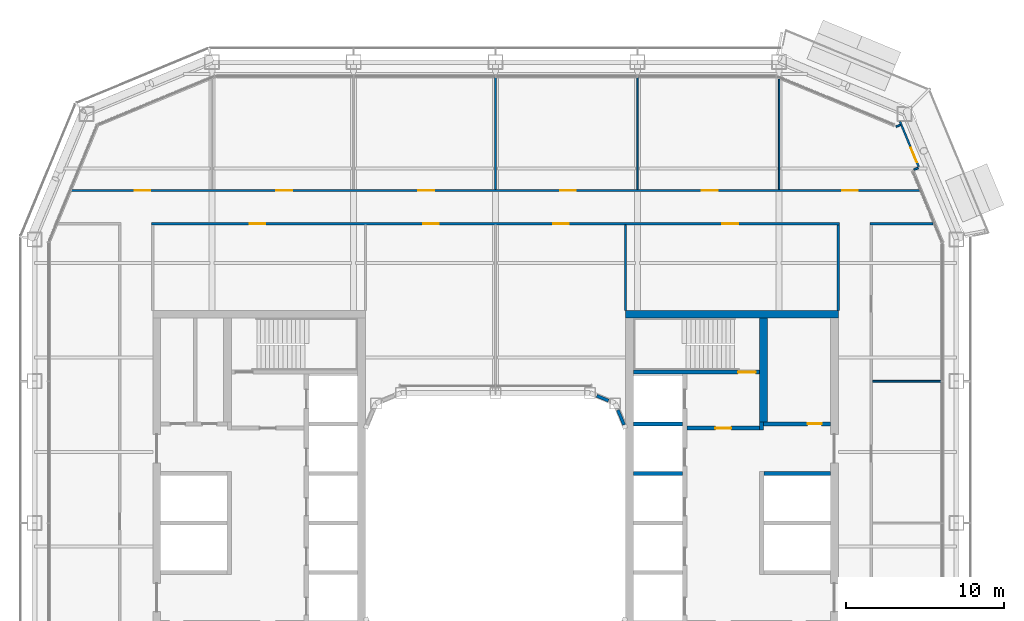
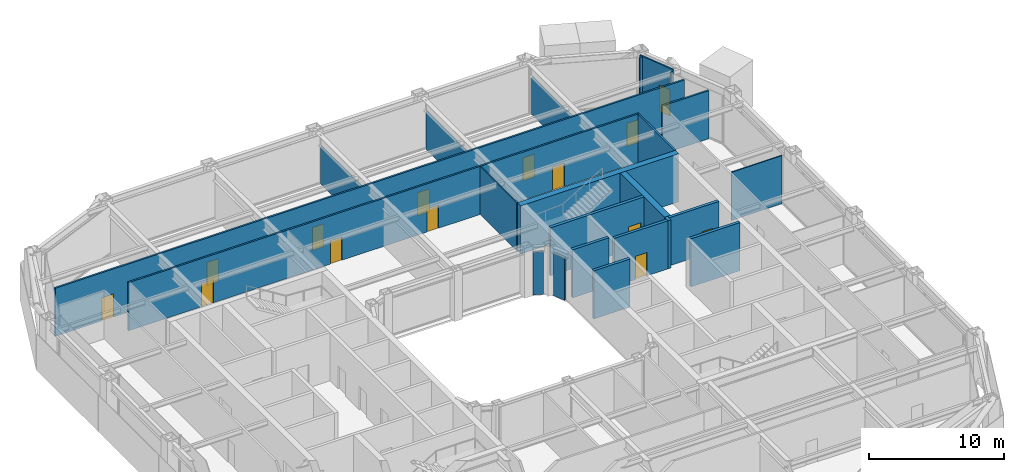
# One storey, part 14 of 23: 23 walls, 14 doors, 14 openings.
"""IFC4 building model written with IfcOpenShell, lengths in metres."""

import ifcopenshell
import ifcopenshell.guid

model = None  # the IFC model being written
_history = None  # IfcOwnerHistory: only IFC2X3 demands one
_inside = {}  # id of a spatial element -> (the spatial element, [elements in it])
_under = {}  # id of a project, library or spatial element -> (it, [spatial elements below it])
_declared = {}  # id of a project -> (the project, [libraries it declares])
_typed = {}  # id of a type object -> (the type object, [elements of that type])
_made_of = {}  # id of a material, layer set ... -> (it, [elements and type objects made of it])


def new_model(schema):
    """Start an empty IFC model of exactly this schema.

    Asked for "IFC4X3", IfcOpenShell would pick the latest addendum, in which some entities
    have other attributes; the version numbers below select the first issue.
    IFC2X3 requires an IfcOwnerHistory on every rooted entity: one is made here for all.
    """
    global model, _history
    if schema == "IFC4X3":
        model = ifcopenshell.file(schema_version=(4, 3, 0, 0))
    else:
        model = ifcopenshell.file(schema=schema)
    _inside.clear()
    _under.clear()
    _declared.clear()
    _typed.clear()
    _made_of.clear()
    _history = None
    if model.schema == "IFC2X3":
        org = make("IfcOrganization", Name="unknown")
        user = make(
            "IfcPersonAndOrganization",
            ThePerson=make("IfcPerson", FamilyName="unknown"),
            TheOrganization=org,
        )
        app = make(
            "IfcApplication",
            ApplicationDeveloper=org,
            Version="unknown",
            ApplicationFullName="unknown",
            ApplicationIdentifier="unknown",
        )
        _history = make(
            "IfcOwnerHistory",
            OwningUser=user,
            OwningApplication=app,
            ChangeAction="ADDED",
            CreationDate=0,
        )
    return model


def make(cls, **values):
    """One entity of the class cls with the attributes given. An attribute that is None is left unset."""
    return model.create_entity(
        cls, **{name: value for name, value in values.items() if value is not None}
    )


def rooted(cls, **values):
    """An entity with a GlobalId (a new one), such as an element, a storey or a relation."""
    return make(cls, GlobalId=ifcopenshell.guid.new(), OwnerHistory=_history, **values)


def si_unit(unit_type, name, prefix=None):
    """IfcSIUnit, for example si_unit("LENGTHUNIT", "METRE", prefix="MILLI")."""
    return make("IfcSIUnit", UnitType=unit_type, Prefix=prefix, Name=name)


def assignment(units):
    """IfcUnitAssignment: the units of a project."""
    return None if units is None else make("IfcUnitAssignment", Units=units)


def point(xyz):
    """IfcCartesianPoint."""
    return None if xyz is None else make("IfcCartesianPoint", Coordinates=xyz)


def direction(xyz):
    """IfcDirection."""
    return None if xyz is None else make("IfcDirection", DirectionRatios=xyz)


def frame(location, z_axis=None, x_axis=None):
    """IfcAxis2Placement3D, a coordinate frame: its origin and axes. An axis left out is left unset."""
    return make(
        "IfcAxis2Placement3D",
        Location=point(location),
        Axis=direction(z_axis),
        RefDirection=direction(x_axis),
    )


def frame_2d(location, x_axis=None):
    """IfcAxis2Placement2D, a coordinate frame in the plane: its origin and x axis."""
    return make(
        "IfcAxis2Placement2D", Location=point(location), RefDirection=direction(x_axis)
    )


def origin():
    """The frame at (0, 0, 0) with its axes left unset."""
    return frame((0.0, 0.0, 0.0))


def place(relative_to, where):
    """IfcLocalPlacement: puts the frame where relative to a parent placement (None: the world)."""
    return make(
        "IfcLocalPlacement", PlacementRelTo=relative_to, RelativePlacement=where
    )


def context(
    kind, dimensions, precision=None, world=None, true_north=None, identifier=None
):
    """IfcGeometricRepresentationContext, for example the 3D "Model" context."""
    return make(
        "IfcGeometricRepresentationContext",
        ContextIdentifier=identifier,
        ContextType=kind,
        CoordinateSpaceDimension=dimensions,
        Precision=precision,
        WorldCoordinateSystem=world,
        TrueNorth=true_north,
    )


def subcontext(parent, identifier, kind, view, scale=None):
    """IfcGeometricRepresentationSubContext, for example "Body" below "Model"."""
    return make(
        "IfcGeometricRepresentationSubContext",
        ContextIdentifier=identifier,
        ContextType=kind,
        ParentContext=parent,
        TargetScale=scale,
        TargetView=view,
    )


def project(units=None, contexts=None):
    """IfcProject with its units and contexts."""
    return rooted(
        "IfcProject",
        Name="project",
        RepresentationContexts=contexts,
        UnitsInContext=assignment(units),
    )


def spatial(cls, under=None, at=None, **own):
    """A site, building, storey or space (cls), placed at a placement, below another one or the project."""
    s = rooted(cls, ObjectPlacement=at, **own)
    if under is not None:
        _under.setdefault(under.id(), (under, []))[1].append(s)
    return s


def profile(cls, at=None, kind="AREA", **sizes):
    """A parametric profile (cls). Its sizes go by their IFC names, for example OverallWidth=200.0."""
    return make(cls, ProfileType=kind, Position=at, **sizes)


def rectangle(**sizes):
    """IfcRectangleProfileDef."""
    return profile("IfcRectangleProfileDef", **sizes)


def extrude(swept, where, along, depth):
    """IfcExtrudedAreaSolid: the profile swept, set in the frame where, extruded along a direction by depth."""
    return make(
        "IfcExtrudedAreaSolid",
        SweptArea=swept,
        Position=where,
        ExtrudedDirection=direction(along),
        Depth=depth,
    )


def shape(context_of_items, identifier, shape_type, items):
    """IfcShapeRepresentation: the items that make up one representation, for example the "Body"."""
    return make(
        "IfcShapeRepresentation",
        ContextOfItems=context_of_items,
        RepresentationIdentifier=identifier,
        RepresentationType=shape_type,
        Items=items,
    )


def material(Name=None, Category=None):
    """IfcMaterial."""
    return make("IfcMaterial", Name=Name, Category=Category)


def layer(
    of_material, thickness, ventilated=None, Name=None, Category=None, Priority=None
):
    """IfcMaterialLayer: one layer of a wall or slab, of a material (None: an air gap)."""
    return make(
        "IfcMaterialLayer",
        Material=of_material,
        LayerThickness=thickness,
        IsVentilated=ventilated,
        Name=Name,
        Category=Category,
        Priority=Priority,
    )


def layer_set(layers, Name=None):
    """IfcMaterialLayerSet."""
    return make("IfcMaterialLayerSet", MaterialLayers=layers, LayerSetName=Name)


def made_of(thing, what):
    """Note that an element or type object is made of a material, layer set ...; save() writes the relation."""
    if what is not None:
        _made_of.setdefault(what.id(), (what, []))[1].append(thing)
    return thing


def type_object(cls, material=None, **own):
    """A type object (cls), such as IfcWallType, which elements share."""
    return made_of(rooted(cls, **own), material)


def element(
    cls,
    number,
    at=None,
    inside=None,
    cuts=None,
    type_object=None,
    material=None,
    context=None,
    identifier="Body",
    shape_type=None,
    held_by="IfcProductDefinitionShape",
    body=None,
    shapes=None,
    **own,
):
    """One element of the class cls, such as IfcWall. Its Tag is "e" and its number.

    at: its placement. inside: the storey or other place that contains it. cuts: it is an
    opening in that element (IfcRelVoidsElement). A single representation is given by context,
    identifier, shape_type and body (its items); several are given by shapes. held_by: the class
    of the entity that holds the representations. save() writes the other relations.
    """
    e = rooted(cls, Tag="e%d" % number, ObjectPlacement=at, **own)
    if body is not None:
        shapes = [shape(context, identifier, shape_type, body)]
    if shapes is not None:
        e.Representation = make(held_by, Representations=shapes)
    if inside is not None:
        _inside.setdefault(inside.id(), (inside, []))[1].append(e)
    if cuts is not None:
        rooted(
            "IfcRelVoidsElement", RelatingBuildingElement=cuts, RelatedOpeningElement=e
        )
    if type_object is not None:
        _typed.setdefault(type_object.id(), (type_object, []))[1].append(e)
    return made_of(e, material)


def fill(opening, filler):
    """IfcRelFillsElement: the door or window that sits in an opening."""
    return rooted(
        "IfcRelFillsElement",
        RelatingOpeningElement=opening,
        RelatedBuildingElement=filler,
    )


def aggregate(whole, parts):
    """IfcRelAggregates: a whole, such as a stair, and the parts it consists of."""
    return rooted("IfcRelAggregates", RelatingObject=whole, RelatedObjects=parts)


def save(model, path):
    """Write the relations noted so far, then the file.

    IfcRelAggregates (storeys below a building ...), IfcRelContainedInSpatialStructure (elements
    in a storey), IfcRelDefinesByType, IfcRelAssociatesMaterial and IfcRelDeclares: one each for
    every whole, place, type object, material and project.
    """
    for whole, parts in _under.values():
        aggregate(whole, parts)
    for where, things in _inside.values():
        rooted(
            "IfcRelContainedInSpatialStructure",
            RelatedElements=things,
            RelatingStructure=where,
        )
    for kind, things in _typed.values():
        rooted("IfcRelDefinesByType", RelatedObjects=things, RelatingType=kind)
    for what, things in _made_of.values():
        rooted("IfcRelAssociatesMaterial", RelatedObjects=things, RelatingMaterial=what)
    for by, libraries in _declared.values():
        rooted("IfcRelDeclares", RelatingContext=by, RelatedDefinitions=libraries)
    model.write(path)


model = new_model("IFC4")

# Units and contexts
model_context = context("Model", 3, precision=1e-05, world=origin(), true_north=direction((0.0, 1.0)))
body_context = subcontext(model_context, "Body", "Model", "MODEL_VIEW")
ifc_project = project(units=[si_unit("LENGTHUNIT", "METRE"), si_unit("AREAUNIT", "SQUARE_METRE"), si_unit("VOLUMEUNIT", "CUBIC_METRE"), si_unit("PLANEANGLEUNIT", "RADIAN"), si_unit("MASSUNIT", "GRAM", prefix="KILO")], contexts=[model_context])

# Site, building, storey
site_placement = place(None, origin())
site = spatial("IfcSite", under=ifc_project, at=site_placement, CompositionType="ELEMENT")
building_placement = place(site_placement, origin())
building = spatial("IfcBuilding", under=site, at=building_placement, Name="Siwar Civic Tower", CompositionType="ELEMENT")
storey_placement = place(building_placement, frame((0.0, 0.0, 131.699951171875)))
storey = spatial("IfcBuildingStorey", under=building, at=storey_placement, Name="L28", CompositionType="ELEMENT", Elevation=131.699951171875)

# Wall, opening, door
ifc_material_1 = material(Name="Concrete C60/75", Category="concrete")
ifc_layer_1 = layer(ifc_material_1, 0.25)
ifc_layer_set_1 = layer_set([ifc_layer_1], Name="Concrete C60/75")
wall_type_1 = type_object("IfcWallType", Name="CORE-WALL-RC250", PredefinedType="SHEAR", material=ifc_layer_set_1)
wall_1_placement = place(storey_placement, frame((12.14990234375, 6.02490234375, 0.0), z_axis=(0.0, 0.0, 1.0), x_axis=(1.0, 0.0, 0.0)))
wall_1 = element("IfcWall", 1, at=wall_1_placement, inside=storey, type_object=wall_type_1, Name="Core wall E", PredefinedType="SHEAR", context=body_context, shape_type="SweptSolid", body=[
    extrude(rectangle(XDim=4.60009765625, YDim=0.25, at=frame_2d((2.300048828125, 0.0))), origin(), (0.0, 0.0, 1.0), 4.35009765625),
])
opening_1_placement = place(wall_1_placement, frame((1.800048828125, 0.0, 0.0)))
opening_1 = element("IfcOpeningElement", 2, at=opening_1_placement, cuts=wall_1, Name="Opening L28-CE01", PredefinedType="OPENING", context=body_context, shape_type="SweptSolid", body=[
    extrude(rectangle(XDim=1.0, YDim=2.10009765625, at=frame_2d((0.5, 1.050048828125))), frame((0.0, 0.135009765625, 0.0), z_axis=(0.0, -1.0, 0.0), x_axis=(1.0, 0.0, 0.0)), (0.0, 0.0, 1.0), 0.27001953125),
])
ifc_material_2 = material(Name="Steel door leaf", Category="steel")
door_type_1 = type_object("IfcDoorType", Name="CORE-DOOR-FD30S", OperationType="SINGLE_SWING_LEFT", PredefinedType="DOOR", material=ifc_material_2)
door_1_placement = place(opening_1_placement, origin())
door_1 = element("IfcDoor", 3, at=door_1_placement, inside=storey, type_object=door_type_1, Name="Firefighting lobby door L28-CE01", OperationType="SINGLE_SWING_RIGHT", OverallHeight=2.10009765625, OverallWidth=1.0, PredefinedType="DOOR", context=body_context, shape_type="SweptSolid", body=[
    extrude(rectangle(XDim=1.0, YDim=2.10009765625, at=frame_2d((0.5, 1.050048828125))), frame((0.0, 0.02490234375, 0.0), z_axis=(0.0, -1.0, 0.0), x_axis=(1.0, 0.0, 0.0)), (0.0, 0.0, 1.0), 0.050048828125),
])
fill(opening_1, door_1)

# Wall
wall_2_placement = place(storey_placement, frame((16.875, 5.89990234375, 0.0), z_axis=(0.0, 0.0, 1.0), x_axis=(0.0, 1.0, 0.0)))
element("IfcWall", 4, at=wall_2_placement, inside=storey, type_object=wall_type_1, Name="Core wall E", PredefinedType="SHEAR", context=body_context, shape_type="SweptSolid", body=[
    extrude(rectangle(XDim=0.525146484375, YDim=0.25, at=frame_2d((0.2626953125, 0.0))), origin(), (0.0, 0.0, 1.0), 4.35009765625),
])

# Wall, opening, door
wall_3_placement = place(storey_placement, frame((17.0, 6.300048828125, 0.0), z_axis=(0.0, 0.0, 1.0), x_axis=(1.0, 0.0, 0.0)))
wall_3 = element("IfcWall", 5, at=wall_3_placement, inside=storey, type_object=wall_type_1, Name="Core wall E", PredefinedType="SHEAR", context=body_context, shape_type="SweptSolid", body=[
    extrude(rectangle(XDim=4.25, YDim=0.25, at=frame_2d((2.125, 0.0))), origin(), (0.0, 0.0, 1.0), 4.35009765625),
])
opening_2_placement = place(wall_3_placement, frame((2.800048828125, 0.0, 0.0)))
opening_2 = element("IfcOpeningElement", 6, at=opening_2_placement, cuts=wall_3, Name="Opening L28-CE13", PredefinedType="OPENING", context=body_context, shape_type="SweptSolid", body=[
    extrude(rectangle(XDim=0.89990234375, YDim=2.10009765625, at=frame_2d((0.449951171875, 1.050048828125))), frame((0.0, 0.135009765625, 0.0), z_axis=(0.0, -1.0, 0.0), x_axis=(1.0, 0.0, 0.0)), (0.0, 0.0, 1.0), 0.27001953125),
])
ifc_material_3 = material(Name="Steel door leaf", Category="steel")
door_type_2 = type_object("IfcDoorType", Name="CORE-DOOR-ROOM", OperationType="SINGLE_SWING_LEFT", PredefinedType="DOOR", material=ifc_material_3)
door_2_placement = place(opening_2_placement, origin())
door_2 = element("IfcDoor", 7, at=door_2_placement, inside=storey, type_object=door_type_2, Name="Core room door L28-CE13", OperationType="SINGLE_SWING_LEFT", OverallHeight=2.10009765625, OverallWidth=0.89990234375, PredefinedType="DOOR", context=body_context, shape_type="SweptSolid", body=[
    extrude(rectangle(XDim=0.89990234375, YDim=2.10009765625, at=frame_2d((0.449951171875, 1.050048828125))), frame((0.0, 0.02490234375, 0.0), z_axis=(0.0, -1.0, 0.0), x_axis=(1.0, 0.0, 0.0)), (0.0, 0.0, 1.0), 0.050048828125),
])
fill(opening_2, door_2)

# Walls
wall_4_placement = place(storey_placement, frame((17.050048828125, 3.14990234375, 0.0), z_axis=(0.0, 0.0, 1.0), x_axis=(1.0, 0.0, 0.0)))
element("IfcWall", 8, at=wall_4_placement, inside=storey, type_object=wall_type_1, Name="Core wall E", PredefinedType="SHEAR", context=body_context, shape_type="SweptSolid", body=[
    extrude(rectangle(XDim=4.199951171875, YDim=0.25, at=frame_2d((2.10009765625, 0.0))), origin(), (0.0, 0.0, 1.0), 4.35009765625),
])
for number, where, z_axis, x_axis, name in (
    (9, (8.75, 3.14990234375, 0.0), (0.0, 0.0, 1.0), (1.0, 0.0, 0.0), "Core wall E"),
    (10, (8.75, 6.300048828125, 0.0), (0.0, 0.0, 1.0), (1.0, 0.0, 0.0), "Core wall E"),
):
    element("IfcWall", number, at=place(storey_placement, frame(where, z_axis=z_axis, x_axis=x_axis)), inside=storey, type_object=wall_type_1, Name=name, PredefinedType="SHEAR", context=body_context, shape_type="SweptSolid", body=[
        extrude(rectangle(XDim=3.10009765625, YDim=0.25, at=frame_2d((1.550048828125, 0.0))), origin(), (0.0, 0.0, 1.0), 4.35009765625),
    ])

# Wall, opening, door
wall_5_placement = place(storey_placement, frame((8.75, 9.574951171875, 0.0), z_axis=(0.0, 0.0, 1.0), x_axis=(1.0, 0.0, 0.0)))
wall_5 = element("IfcWall", 11, at=wall_5_placement, inside=storey, type_object=wall_type_1, Name="Core wall E", PredefinedType="SHEAR", context=body_context, shape_type="SweptSolid", body=[
    extrude(rectangle(XDim=8.0, YDim=0.25, at=frame_2d((4.0, 0.0))), origin(), (0.0, 0.0, 1.0), 4.35009765625),
])
opening_3_placement = place(wall_5_placement, frame((6.64990234375, 0.0, 0.0)))
opening_3 = element("IfcOpeningElement", 12, at=opening_3_placement, cuts=wall_5, Name="Opening L28-CE03", PredefinedType="OPENING", context=body_context, shape_type="SweptSolid", body=[
    extrude(rectangle(XDim=1.10009765625, YDim=2.10009765625, at=frame_2d((0.550048828125, 1.050048828125))), frame((0.0, 0.135009765625, 0.0), z_axis=(0.0, -1.0, 0.0), x_axis=(1.0, 0.0, 0.0)), (0.0, 0.0, 1.0), 0.27001953125),
])
ifc_material_4 = material(Name="Steel door leaf", Category="steel")
door_type_3 = type_object("IfcDoorType", Name="CORE-DOOR-FD60S", OperationType="SINGLE_SWING_LEFT", PredefinedType="DOOR", material=ifc_material_4)
door_3_placement = place(opening_3_placement, origin())
door_3 = element("IfcDoor", 13, at=door_3_placement, inside=storey, type_object=door_type_3, Name="Stair door L28-CE03", OperationType="SINGLE_SWING_LEFT", OverallHeight=2.10009765625, OverallWidth=1.10009765625, PredefinedType="DOOR", context=body_context, shape_type="SweptSolid", body=[
    extrude(rectangle(XDim=1.10009765625, YDim=2.10009765625, at=frame_2d((0.550048828125, 1.050048828125))), frame((0.0, 0.02490234375, 0.0), z_axis=(0.0, -1.0, 0.0), x_axis=(1.0, 0.0, 0.0)), (0.0, 0.0, 1.0), 0.050048828125),
])
fill(opening_3, door_3)

# Walls
ifc_material_5 = material(Name="Concrete C60/75", Category="concrete")
ifc_layer_2 = layer(ifc_material_5, 0.5)
ifc_layer_set_2 = layer_set([ifc_layer_2], Name="Concrete C60/75")
wall_type_2 = type_object("IfcWallType", Name="CORE-WALL-RC500", PredefinedType="SHEAR", material=ifc_layer_set_2)
wall_6_placement = place(storey_placement, frame((17.0, 6.425048828125, 0.0), z_axis=(0.0, 0.0, 1.0), x_axis=(0.0, 1.0, 0.0)))
element("IfcWall", 14, at=wall_6_placement, inside=storey, type_object=wall_type_2, Name="Core wall E", PredefinedType="SHEAR", context=body_context, shape_type="SweptSolid", body=[
    extrude(rectangle(XDim=6.574951171875, YDim=0.5, at=frame_2d((3.28759765625, 0.0))), origin(), (0.0, 0.0, 1.0), 4.35009765625),
])
wall_7_placement = place(storey_placement, frame((8.25, 13.25, 0.0), z_axis=(0.0, 0.0, 1.0), x_axis=(1.0, 0.0, 0.0)))
element("IfcWall", 15, at=wall_7_placement, inside=storey, type_object=wall_type_2, Name="Core wall E", PredefinedType="SHEAR", context=body_context, shape_type="SweptSolid", body=[
    extrude(rectangle(XDim=13.5, YDim=0.5, at=frame_2d((6.75, 0.0))), origin(), (0.0, 0.0, 1.0), 4.35009765625),
])

# Wall, openings, doors
ifc_material_6 = material(Name="Gypsum board on steel studs", Category="steel")
ifc_layer_3 = layer(ifc_material_6, 0.14990234375)
ifc_layer_set_3 = layer_set([ifc_layer_3], Name="Gypsum board on steel studs")
wall_type_3 = type_object("IfcWallType", Name="CORRIDOR PARTITION 150 EI 30", PredefinedType="PARTITIONING", material=ifc_layer_set_3)
wall_8_placement = place(storey_placement, frame((-21.824951171875, 19.0, 0.0), z_axis=(0.0, 0.0, 1.0), x_axis=(1.0, 0.0, 0.0)))
wall_8 = element("IfcWall", 16, at=wall_8_placement, inside=storey, type_object=wall_type_3, Name="L28/wall/P11", PredefinedType="PARTITIONING", context=body_context, shape_type="SweptSolid", body=[
    extrude(rectangle(XDim=43.64990234375, YDim=0.14990234375, at=frame_2d((21.824951171875, 0.0))), origin(), (0.0, 0.0, 1.0), 4.35009765625),
])
opening_4_placement = place(wall_8_placement, frame((17.22509765625, 0.0, 0.0)))
opening_4 = element("IfcOpeningElement", 17, at=opening_4_placement, cuts=wall_8, Name="Opening D1", PredefinedType="OPENING", context=body_context, shape_type="SweptSolid", body=[
    extrude(rectangle(XDim=1.0, YDim=2.10009765625, at=frame_2d((0.5, 1.050048828125))), frame((0.0, 0.0849609375, 0.0), z_axis=(0.0, -1.0, 0.0), x_axis=(1.0, 0.0, 0.0)), (0.0, 0.0, 1.0), 0.169921875),
])
opening_5_placement = place(wall_8_placement, frame((25.47509765625, 0.0, 0.0)))
opening_5 = element("IfcOpeningElement", 18, at=opening_5_placement, cuts=wall_8, Name="Opening D1", PredefinedType="OPENING", context=body_context, shape_type="SweptSolid", body=[
    extrude(rectangle(XDim=1.0, YDim=2.10009765625, at=frame_2d((0.5, 1.050048828125))), frame((0.0, 0.0849609375, 0.0), z_axis=(0.0, -1.0, 0.0), x_axis=(1.0, 0.0, 0.0)), (0.0, 0.0, 1.0), 0.169921875),
])
opening_6_placement = place(wall_8_placement, frame((6.22509765625, 0.0, 0.0)))
opening_6 = element("IfcOpeningElement", 19, at=opening_6_placement, cuts=wall_8, Name="Opening D1", PredefinedType="OPENING", context=body_context, shape_type="SweptSolid", body=[
    extrude(rectangle(XDim=1.0, YDim=2.10009765625, at=frame_2d((0.5, 1.050048828125))), frame((0.0, 0.0849609375, 0.0), z_axis=(0.0, -1.0, 0.0), x_axis=(1.0, 0.0, 0.0)), (0.0, 0.0, 1.0), 0.169921875),
])
opening_7_placement = place(wall_8_placement, frame((36.22509765625, 0.0, 0.0)))
opening_7 = element("IfcOpeningElement", 20, at=opening_7_placement, cuts=wall_8, Name="Opening D1", PredefinedType="OPENING", context=body_context, shape_type="SweptSolid", body=[
    extrude(rectangle(XDim=1.0, YDim=2.10009765625, at=frame_2d((0.5, 1.050048828125))), frame((0.0, 0.0849609375, 0.0), z_axis=(0.0, -1.0, 0.0), x_axis=(1.0, 0.0, 0.0)), (0.0, 0.0, 1.0), 0.169921875),
])
ifc_material_7 = material(Name="Timber, painted", Category="wood")
door_type_4 = type_object("IfcDoorType", Name="DOOR 1000 X 2100 FD30", OperationType="SINGLE_SWING_LEFT", PredefinedType="DOOR", material=ifc_material_7)
door_4_placement = place(opening_4_placement, origin())
door_4 = element("IfcDoor", 21, at=door_4_placement, inside=storey, type_object=door_type_4, Name="L28-D13", OperationType="SINGLE_SWING_LEFT", OverallHeight=2.10009765625, OverallWidth=1.0, PredefinedType="DOOR", context=body_context, shape_type="SweptSolid", body=[
    extrude(rectangle(XDim=1.0, YDim=2.10009765625, at=frame_2d((0.5, 1.050048828125))), frame((0.0, 0.02490234375, 0.0), z_axis=(0.0, -1.0, 0.0), x_axis=(1.0, 0.0, 0.0)), (0.0, 0.0, 1.0), 0.050048828125),
])
fill(opening_4, door_4)
door_5_placement = place(opening_5_placement, origin())
door_5 = element("IfcDoor", 22, at=door_5_placement, inside=storey, type_object=door_type_4, Name="L28-D14", OperationType="SINGLE_SWING_RIGHT", OverallHeight=2.10009765625, OverallWidth=1.0, PredefinedType="DOOR", context=body_context, shape_type="SweptSolid", body=[
    extrude(rectangle(XDim=1.0, YDim=2.10009765625, at=frame_2d((0.5, 1.050048828125))), frame((0.0, 0.02490234375, 0.0), z_axis=(0.0, -1.0, 0.0), x_axis=(1.0, 0.0, 0.0)), (0.0, 0.0, 1.0), 0.050048828125),
])
fill(opening_5, door_5)
door_6_placement = place(opening_6_placement, origin())
door_6 = element("IfcDoor", 23, at=door_6_placement, inside=storey, type_object=door_type_4, Name="L28-D20", OperationType="SINGLE_SWING_RIGHT", OverallHeight=2.10009765625, OverallWidth=1.0, PredefinedType="DOOR", context=body_context, shape_type="SweptSolid", body=[
    extrude(rectangle(XDim=1.0, YDim=2.10009765625, at=frame_2d((0.5, 1.050048828125))), frame((0.0, 0.02490234375, 0.0), z_axis=(0.0, -1.0, 0.0), x_axis=(1.0, 0.0, 0.0)), (0.0, 0.0, 1.0), 0.050048828125),
])
fill(opening_6, door_6)
door_7_placement = place(opening_7_placement, origin())
door_7 = element("IfcDoor", 24, at=door_7_placement, inside=storey, type_object=door_type_4, Name="L28-D21", OperationType="SINGLE_SWING_LEFT", OverallHeight=2.10009765625, OverallWidth=1.0, PredefinedType="DOOR", context=body_context, shape_type="SweptSolid", body=[
    extrude(rectangle(XDim=1.0, YDim=2.10009765625, at=frame_2d((0.5, 1.050048828125))), frame((0.0, 0.02490234375, 0.0), z_axis=(0.0, -1.0, 0.0), x_axis=(1.0, 0.0, 0.0)), (0.0, 0.0, 1.0), 0.050048828125),
])
fill(opening_7, door_7)

# Wall
wall_9_placement = place(storey_placement, frame((23.77490234375, 19.0, 0.0), z_axis=(0.0, 0.0, 1.0), x_axis=(1.0, 0.0, 0.0)))
element("IfcWall", 25, at=wall_9_placement, inside=storey, type_object=wall_type_3, Name="L28/wall/P12", PredefinedType="PARTITIONING", context=body_context, shape_type="SweptSolid", body=[
    extrude(rectangle(XDim=3.989013671875, YDim=0.14990234375, at=frame_2d((1.99462890625, 0.0))), origin(), (0.0, 0.0, 1.0), 4.35009765625),
])

# Wall, openings, doors
wall_10_placement = place(storey_placement, frame((-26.89404296875, 21.10009765625, 0.0), z_axis=(0.0, 0.0, 1.0), x_axis=(1.0, 0.0, 0.0)))
wall_10 = element("IfcWall", 26, at=wall_10_placement, inside=storey, type_object=wall_type_3, Name="L28/wall/P13", PredefinedType="PARTITIONING", context=body_context, shape_type="SweptSolid", body=[
    extrude(rectangle(XDim=53.7880859375, YDim=0.14990234375, at=frame_2d((26.89404296875, 0.0))), origin(), (0.0, 0.0, 1.0), 4.35009765625),
])
opening_8_placement = place(wall_10_placement, frame((12.993896484375, 0.0, 0.0)))
opening_8 = element("IfcOpeningElement", 27, at=opening_8_placement, cuts=wall_10, Name="Opening D1", PredefinedType="OPENING", context=body_context, shape_type="SweptSolid", body=[
    extrude(rectangle(XDim=1.0, YDim=2.10009765625, at=frame_2d((0.5, 1.050048828125))), frame((0.0, 0.0849609375, 0.0), z_axis=(0.0, -1.0, 0.0), x_axis=(1.0, 0.0, 0.0)), (0.0, 0.0, 1.0), 0.169921875),
])
opening_9_placement = place(wall_10_placement, frame((21.993896484375, 0.0, 0.0)))
opening_9 = element("IfcOpeningElement", 28, at=opening_9_placement, cuts=wall_10, Name="Opening D1", PredefinedType="OPENING", context=body_context, shape_type="SweptSolid", body=[
    extrude(rectangle(XDim=1.0, YDim=2.10009765625, at=frame_2d((0.5, 1.050048828125))), frame((0.0, 0.0849609375, 0.0), z_axis=(0.0, -1.0, 0.0), x_axis=(1.0, 0.0, 0.0)), (0.0, 0.0, 1.0), 0.169921875),
])
opening_10_placement = place(wall_10_placement, frame((30.993896484375, 0.0, 0.0)))
opening_10 = element("IfcOpeningElement", 29, at=opening_10_placement, cuts=wall_10, Name="Opening D1", PredefinedType="OPENING", context=body_context, shape_type="SweptSolid", body=[
    extrude(rectangle(XDim=1.0, YDim=2.10009765625, at=frame_2d((0.5, 1.050048828125))), frame((0.0, 0.0849609375, 0.0), z_axis=(0.0, -1.0, 0.0), x_axis=(1.0, 0.0, 0.0)), (0.0, 0.0, 1.0), 0.169921875),
])
opening_11_placement = place(wall_10_placement, frame((39.993896484375, 0.0, 0.0)))
opening_11 = element("IfcOpeningElement", 30, at=opening_11_placement, cuts=wall_10, Name="Opening D1", PredefinedType="OPENING", context=body_context, shape_type="SweptSolid", body=[
    extrude(rectangle(XDim=1.0, YDim=2.10009765625, at=frame_2d((0.5, 1.050048828125))), frame((0.0, 0.0849609375, 0.0), z_axis=(0.0, -1.0, 0.0), x_axis=(1.0, 0.0, 0.0)), (0.0, 0.0, 1.0), 0.169921875),
])
opening_12_placement = place(wall_10_placement, frame((3.993896484375, 0.0, 0.0)))
opening_12 = element("IfcOpeningElement", 31, at=opening_12_placement, cuts=wall_10, Name="Opening D1", PredefinedType="OPENING", context=body_context, shape_type="SweptSolid", body=[
    extrude(rectangle(XDim=1.0, YDim=2.10009765625, at=frame_2d((0.5, 1.050048828125))), frame((0.0, 0.0849609375, 0.0), z_axis=(0.0, -1.0, 0.0), x_axis=(1.0, 0.0, 0.0)), (0.0, 0.0, 1.0), 0.169921875),
])
opening_13_placement = place(wall_10_placement, frame((48.887939453125, 0.0, 0.0)))
opening_13 = element("IfcOpeningElement", 32, at=opening_13_placement, cuts=wall_10, Name="Opening D1", PredefinedType="OPENING", context=body_context, shape_type="SweptSolid", body=[
    extrude(rectangle(XDim=1.0, YDim=2.10009765625, at=frame_2d((0.5, 1.050048828125))), frame((0.0, 0.0849609375, 0.0), z_axis=(0.0, -1.0, 0.0), x_axis=(1.0, 0.0, 0.0)), (0.0, 0.0, 1.0), 0.169921875),
])
door_8_placement = place(opening_8_placement, origin())
door_8 = element("IfcDoor", 33, at=door_8_placement, inside=storey, type_object=door_type_4, Name="L28-D01", OperationType="SINGLE_SWING_LEFT", OverallHeight=2.10009765625, OverallWidth=1.0, PredefinedType="DOOR", context=body_context, shape_type="SweptSolid", body=[
    extrude(rectangle(XDim=1.0, YDim=2.10009765625, at=frame_2d((0.5, 1.050048828125))), frame((0.0, 0.02490234375, 0.0), z_axis=(0.0, -1.0, 0.0), x_axis=(1.0, 0.0, 0.0)), (0.0, 0.0, 1.0), 0.050048828125),
])
fill(opening_8, door_8)
door_9_placement = place(opening_9_placement, origin())
door_9 = element("IfcDoor", 34, at=door_9_placement, inside=storey, type_object=door_type_4, Name="L28-D02", OperationType="SINGLE_SWING_RIGHT", OverallHeight=2.10009765625, OverallWidth=1.0, PredefinedType="DOOR", context=body_context, shape_type="SweptSolid", body=[
    extrude(rectangle(XDim=1.0, YDim=2.10009765625, at=frame_2d((0.5, 1.050048828125))), frame((0.0, 0.02490234375, 0.0), z_axis=(0.0, -1.0, 0.0), x_axis=(1.0, 0.0, 0.0)), (0.0, 0.0, 1.0), 0.050048828125),
])
fill(opening_9, door_9)
door_10_placement = place(opening_10_placement, origin())
door_10 = element("IfcDoor", 35, at=door_10_placement, inside=storey, type_object=door_type_4, Name="L28-D03", OperationType="SINGLE_SWING_LEFT", OverallHeight=2.10009765625, OverallWidth=1.0, PredefinedType="DOOR", context=body_context, shape_type="SweptSolid", body=[
    extrude(rectangle(XDim=1.0, YDim=2.10009765625, at=frame_2d((0.5, 1.050048828125))), frame((0.0, 0.02490234375, 0.0), z_axis=(0.0, -1.0, 0.0), x_axis=(1.0, 0.0, 0.0)), (0.0, 0.0, 1.0), 0.050048828125),
])
fill(opening_10, door_10)
door_11_placement = place(opening_11_placement, origin())
door_11 = element("IfcDoor", 36, at=door_11_placement, inside=storey, type_object=door_type_4, Name="L28-D04", OperationType="SINGLE_SWING_RIGHT", OverallHeight=2.10009765625, OverallWidth=1.0, PredefinedType="DOOR", context=body_context, shape_type="SweptSolid", body=[
    extrude(rectangle(XDim=1.0, YDim=2.10009765625, at=frame_2d((0.5, 1.050048828125))), frame((0.0, 0.02490234375, 0.0), z_axis=(0.0, -1.0, 0.0), x_axis=(1.0, 0.0, 0.0)), (0.0, 0.0, 1.0), 0.050048828125),
])
fill(opening_11, door_11)
door_12_placement = place(opening_12_placement, origin())
door_12 = element("IfcDoor", 37, at=door_12_placement, inside=storey, type_object=door_type_4, Name="L28-D09", OperationType="SINGLE_SWING_LEFT", OverallHeight=2.10009765625, OverallWidth=1.0, PredefinedType="DOOR", context=body_context, shape_type="SweptSolid", body=[
    extrude(rectangle(XDim=1.0, YDim=2.10009765625, at=frame_2d((0.5, 1.050048828125))), frame((0.0, 0.02490234375, 0.0), z_axis=(0.0, -1.0, 0.0), x_axis=(1.0, 0.0, 0.0)), (0.0, 0.0, 1.0), 0.050048828125),
])
fill(opening_12, door_12)
door_13_placement = place(opening_13_placement, origin())
door_13 = element("IfcDoor", 38, at=door_13_placement, inside=storey, type_object=door_type_4, Name="L28-D10", OperationType="SINGLE_SWING_RIGHT", OverallHeight=2.10009765625, OverallWidth=1.0, PredefinedType="DOOR", context=body_context, shape_type="SweptSolid", body=[
    extrude(rectangle(XDim=1.0, YDim=2.10009765625, at=frame_2d((0.5, 1.050048828125))), frame((0.0, 0.02490234375, 0.0), z_axis=(0.0, -1.0, 0.0), x_axis=(1.0, 0.0, 0.0)), (0.0, 0.0, 1.0), 0.050048828125),
])
fill(opening_13, door_13)

# Walls
wall_11_placement = place(storey_placement, frame((21.75, 13.5, 0.0), z_axis=(0.0, 0.0, 1.0), x_axis=(0.0, 1.0, 0.0)))
element("IfcWall", 39, at=wall_11_placement, inside=storey, type_object=wall_type_3, Name="L28/wall/P37", PredefinedType="PARTITIONING", context=body_context, shape_type="SweptSolid", body=[
    extrude(rectangle(XDim=5.425048828125, YDim=0.14990234375, at=frame_2d((2.71240234375, 0.0))), origin(), (0.0, 0.0, 1.0), 4.35009765625),
])
ifc_material_8 = material(Name="Aluminium clad insulated panel", Category="aluminium")
ifc_layer_4 = layer(ifc_material_8, 0.1201171875)
ifc_layer_set_4 = layer_set([ifc_layer_4], Name="Aluminium clad insulated panel")
wall_type_4 = type_object("IfcWallType", Name="ENV-WALL-BAL", PredefinedType="STANDARD", material=ifc_layer_set_4)
for number, where, z_axis, x_axis, name in (
    (40, (26.551025390625, 22.42529296875, 0.0), (0.0, 0.0, 1.0), (0.924119333865, 0.382103986862, 0.0), "Balcony door wall return NE1"),
    (41, (25.421142578125, 25.153076171875, 0.0), (0.0, 0.0, 1.0), (0.923698510492, 0.383120166156, 0.0), "Balcony door wall return NE1"),
):
    element("IfcWall", number, at=place(storey_placement, frame(where, z_axis=z_axis, x_axis=x_axis)), inside=storey, type_object=wall_type_4, Name=name, PredefinedType="STANDARD", context=body_context, shape_type="SweptSolid", body=[
        extrude(rectangle(XDim=0.2900390625, YDim=0.1201171875, at=frame_2d((0.14501953125, 0.0))), origin(), (0.0, 0.0, 1.0), 4.35009765625),
    ])

# Wall, opening, door
wall_12_placement = place(storey_placement, frame((26.8515625, 22.614501953125, 0.0), z_axis=(0.0, 0.0, 1.0), x_axis=(-0.382708655389, 0.923869084389, 0.0)))
wall_12 = element("IfcWall", 42, at=wall_12_placement, inside=storey, type_object=wall_type_4, Name="Balcony door wall NE1", PredefinedType="STANDARD", context=body_context, shape_type="SweptSolid", body=[
    extrude(rectangle(XDim=3.1015625, YDim=0.1201171875, at=frame_2d((1.55078125, 0.0))), origin(), (0.0, 0.0, 1.0), 4.35009765625),
])
opening_14_placement = place(wall_12_placement, frame((0.300048828125, 0.0, 0.0)))
opening_14 = element("IfcOpeningElement", 43, at=opening_14_placement, cuts=wall_12, Name="Opening D-BAL", PredefinedType="OPENING", context=body_context, shape_type="SweptSolid", body=[
    extrude(rectangle(XDim=1.0, YDim=2.39990234375, at=frame_2d((0.5, 1.199951171875))), frame((0.0, 0.070068359375, 0.0), z_axis=(0.0, -1.0, 0.0), x_axis=(1.0, 0.0, 0.0)), (0.0, 0.0, 1.0), 0.14013671875),
])
ifc_material_9 = material(Name="Aluminium and glass", Category="aluminium")
door_type_5 = type_object("IfcDoorType", Name="ENV-DOOR-BAL", OperationType="SINGLE_SWING_LEFT", PredefinedType="DOOR", material=ifc_material_9)
door_14_placement = place(opening_14_placement, origin())
door_14 = element("IfcDoor", 44, at=door_14_placement, inside=storey, type_object=door_type_5, Name="Balcony door NE", OperationType="SINGLE_SWING_LEFT", OverallHeight=2.39990234375, OverallWidth=1.0, PredefinedType="DOOR", context=body_context, shape_type="SweptSolid", body=[
    extrude(rectangle(XDim=1.0, YDim=2.39990234375, at=frame_2d((0.5, 1.199951171875))), frame((0.0, 0.02490234375, 0.0), z_axis=(0.0, -1.0, 0.0), x_axis=(1.0, 0.0, 0.0)), (0.0, 0.0, 1.0), 0.050048828125),
])
fill(opening_14, door_14)

# Walls
ifc_material_10 = material(Name="Aluminium clad insulated panel", Category="aluminium")
ifc_layer_5 = layer(ifc_material_10, 0.199951171875)
ifc_layer_set_5 = layer_set([ifc_layer_5], Name="Aluminium clad insulated panel")
wall_type_5 = type_object("IfcWallType", Name="ENV-WALL-WELL", PredefinedType="STANDARD", material=ifc_layer_set_5)
wall_13_placement = place(storey_placement, frame((8.154296875, 6.23095703125, 0.0), z_axis=(0.0, 0.0, 1.0), x_axis=(-0.382769662028, 0.923843810301, 0.0)))
element("IfcWall", 45, at=wall_13_placement, inside=storey, type_object=wall_type_5, Name="Light well corner wall NE1", PredefinedType="STANDARD", context=body_context, shape_type="SweptSolid", body=[
    extrude(rectangle(XDim=1.014892578125, YDim=0.199951171875, at=frame_2d((0.50732421875, 0.0))), origin(), (0.0, 0.0, 1.0), 3.825927734375),
])
wall_14_placement = place(storey_placement, frame((7.16845703125, 7.765869140625, 0.0), z_axis=(0.0, 0.0, 1.0), x_axis=(-0.923817771127, 0.382832503518, 0.0)))
element("IfcWall", 46, at=wall_14_placement, inside=storey, type_object=wall_type_5, Name="Light well corner wall NE2", PredefinedType="STANDARD", context=body_context, shape_type="SweptSolid", body=[
    extrude(rectangle(XDim=0.807373046875, YDim=0.199951171875, at=frame_2d((0.40380859375, 0.0))), origin(), (0.0, 0.0, 1.0), 3.825927734375),
])
ifc_material_11 = material(Name="Gypsum board on steel studs", Category="steel")
ifc_layer_6 = layer(ifc_material_11, 0.10009765625)
ifc_layer_set_6 = layer_set([ifc_layer_6], Name="Gypsum board on steel studs")
wall_type_6 = type_object("IfcWallType", Name="PARTITION 100 GYPSUM", PredefinedType="PARTITIONING", material=ifc_layer_set_6)
wall_15_placement = place(storey_placement, frame((23.925048828125, 9.0, 0.0), z_axis=(0.0, 0.0, 1.0), x_axis=(1.0, 0.0, 0.0)))
element("IfcWall", 47, at=wall_15_placement, inside=storey, type_object=wall_type_6, Name="L28/wall/P09", PredefinedType="PARTITIONING", context=body_context, shape_type="SweptSolid", body=[
    extrude(rectangle(XDim=4.3349609375, YDim=0.10009765625, at=frame_2d((2.16748046875, 0.0))), origin(), (0.0, 0.0, 1.0), 4.35009765625),
])
wall_16_placement = place(storey_placement, frame((0.0, 21.175048828125, 0.0), z_axis=(0.0, 0.0, 1.0), x_axis=(0.0, 1.0, 0.0)))
element("IfcWall", 48, at=wall_16_placement, inside=storey, type_object=wall_type_6, Name="L28/wall/P26", PredefinedType="PARTITIONING", context=body_context, shape_type="SweptSolid", body=[
    extrude(rectangle(XDim=7.0849609375, YDim=0.10009765625, at=frame_2d((3.54248046875, 0.0))), origin(), (0.0, 0.0, 1.0), 3.449951171875),
])
wall_17_placement = place(storey_placement, frame((8.25, 13.5, 0.0), z_axis=(0.0, 0.0, 1.0), x_axis=(0.0, 1.0, 0.0)))
element("IfcWall", 49, at=wall_17_placement, inside=storey, type_object=wall_type_6, Name="L28/wall/P29", PredefinedType="PARTITIONING", context=body_context, shape_type="SweptSolid", body=[
    extrude(rectangle(XDim=5.425048828125, YDim=0.10009765625, at=frame_2d((2.71240234375, 0.0))), origin(), (0.0, 0.0, 1.0), 4.35009765625),
])
wall_18_placement = place(storey_placement, frame((9.0, 21.175048828125, 0.0), z_axis=(0.0, 0.0, 1.0), x_axis=(0.0, 1.0, 0.0)))
element("IfcWall", 50, at=wall_18_placement, inside=storey, type_object=wall_type_6, Name="L28/wall/P33", PredefinedType="PARTITIONING", context=body_context, shape_type="SweptSolid", body=[
    extrude(rectangle(XDim=7.0849609375, YDim=0.10009765625, at=frame_2d((3.54248046875, 0.0))), origin(), (0.0, 0.0, 1.0), 3.449951171875),
])
wall_19_placement = place(storey_placement, frame((18.0, 21.175048828125, 0.0), z_axis=(0.0, 0.0, 1.0), x_axis=(0.0, 1.0, 0.0)))
element("IfcWall", 51, at=wall_19_placement, inside=storey, type_object=wall_type_6, Name="L28/wall/P35", PredefinedType="PARTITIONING", context=body_context, shape_type="SweptSolid", body=[
    extrude(rectangle(XDim=7.0029296875, YDim=0.10009765625, at=frame_2d((3.50146484375, 0.0))), origin(), (0.0, 0.0, 1.0), 3.449951171875),
])

save(model, "model.ifc")
